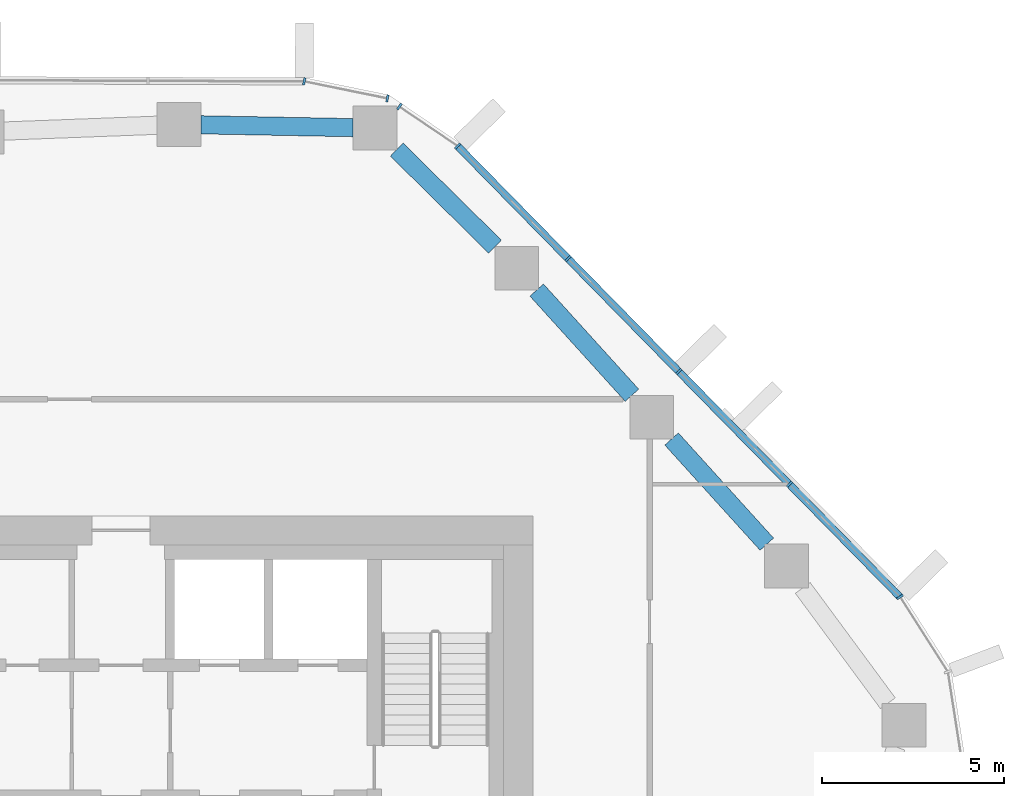
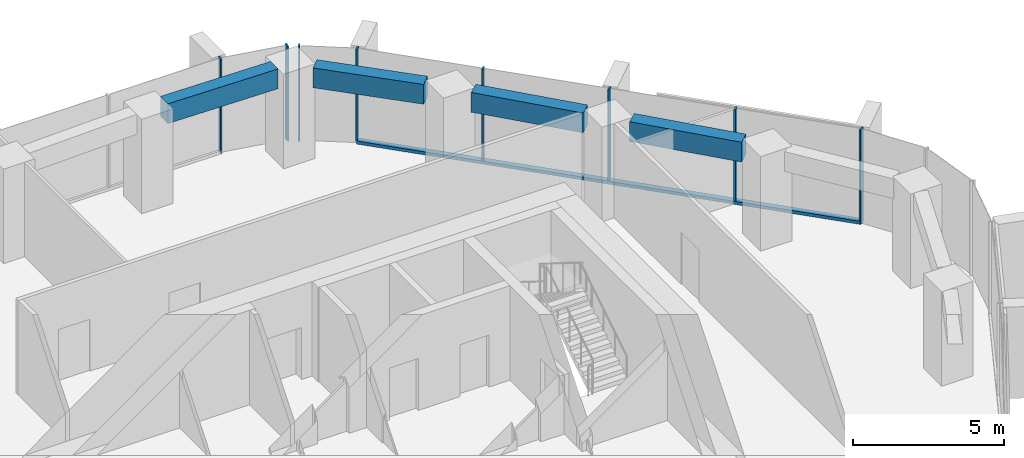
# One storey, part 6 of 18: 9 members, 4 beams, 4 elements without a shape of their own.
"""IFC4 building model written with IfcOpenShell, lengths in metres."""

from ifc_helpers import new_model, si_unit, direction, frame, origin, origin_2d, place, context, subcontext, project, spatial, rectangle, extrude, material, layer, layer_set, material_profile, profile_set, type_object, element, aggregate, save


model = new_model("IFC4")

# Units and contexts
model_context = context("Model", 3, precision=1e-05, world=origin(), true_north=direction((0.0, 1.0)))
body_context = subcontext(model_context, "Body", "Model", "MODEL_VIEW")
ifc_project = project(units=[si_unit("LENGTHUNIT", "METRE"), si_unit("AREAUNIT", "SQUARE_METRE"), si_unit("VOLUMEUNIT", "CUBIC_METRE"), si_unit("PLANEANGLEUNIT", "RADIAN"), si_unit("MASSUNIT", "GRAM", prefix="KILO")], contexts=[model_context])

# Site, building, storey
site_placement = place(None, origin())
site = spatial("IfcSite", under=ifc_project, at=site_placement, CompositionType="ELEMENT")
building_placement = place(site_placement, origin())
building = spatial("IfcBuilding", under=site, at=building_placement, Name="Dongbaek Canopy Tower", CompositionType="ELEMENT")
storey_placement = place(building_placement, frame((0.0, 0.0, 203.0)))
storey = spatial("IfcBuildingStorey", under=building, at=storey_placement, Name="L42", CompositionType="ELEMENT", Elevation=203.0)

# Curtain wall, member
ifc_material_1 = material(Name="Aluminium 6063-T6 pale anodised", Category="aluminium")
ifc_layer = layer(ifc_material_1, 0.199951171875)
ifc_layer_set = layer_set([ifc_layer], Name="CW-1 unitised tower curtain wall")
curtain_wall_type = type_object("IfcCurtainWallType", Name="CW-1 unitised tower curtain wall", PredefinedType="NOTDEFINED", material=ifc_layer_set)
curtain_wall_1_placement = place(storey_placement, origin())
curtain_wall_1 = element("IfcCurtainWall", 1, at=curtain_wall_1_placement, inside=storey, type_object=curtain_wall_type, Name="CW-1 curtain wall K0.1", PredefinedType="NOTDEFINED")
ifc_material_2 = material(Name="Aluminium 6063-T6 pale anodised", Category="aluminium")
ifc_material_profile_1 = material_profile(ifc_material_2, rectangle(XDim=0.199951171875, YDim=0.06005859375, at=origin_2d()), Name="CW-1 mullion 60 x 200")
ifc_profile_set_1 = profile_set([ifc_material_profile_1], Name="Aluminium 6063-T6 pale anodised")
member_type_1 = type_object("IfcMemberType", Name="CW-1 mullion 60 x 200", PredefinedType="MULLION", material=ifc_profile_set_1)
member_1_placement = place(storey_placement, frame((24.070068359375, 8.773681640625, 0.0), z_axis=(0.0, 0.0, 1.0), x_axis=(0.842497912004, 0.538699608566, 0.0)))
member_1 = element("IfcMember", 2, at=member_1_placement, type_object=member_type_1, Name="CW-1 mullion K0.1.4", PredefinedType="MULLION", context=body_context, shape_type="SweptSolid", body=[
    extrude(rectangle(XDim=0.199951171875, YDim=0.06005859375, at=origin_2d()), origin(), (0.0, 0.0, 1.0), 3.820068359375),
])
aggregate(curtain_wall_1, [member_1])

# Curtain wall, members
curtain_wall_2_placement = place(storey_placement, origin())
curtain_wall_2 = element("IfcCurtainWall", 3, at=curtain_wall_2_placement, inside=storey, type_object=curtain_wall_type, Name="CW-1 curtain wall F0.1", PredefinedType="NOTDEFINED")
member_2_placement = place(storey_placement, frame((21.039794921875, 11.862060546875, 0.1201171875), z_axis=(0.0, 0.0, 1.0), x_axis=(0.713782398301, 0.700367537709, 0.0)))
member_2 = element("IfcMember", 4, at=member_2_placement, type_object=member_type_1, Name="CW-1 mullion F0.1.2", PredefinedType="MULLION", context=body_context, shape_type="SweptSolid", body=[
    extrude(rectangle(XDim=0.199951171875, YDim=0.06005859375, at=origin_2d()), origin(), (0.0, 0.0, 1.0), 3.699951171875),
])
member_3_placement = place(storey_placement, frame((18.002197265625, 14.957763671875, 0.1201171875), z_axis=(0.0, 0.0, 1.0), x_axis=(0.713782398301, 0.700367537709, 0.0)))
member_3 = element("IfcMember", 5, at=member_3_placement, type_object=member_type_1, Name="CW-1 mullion F0.1.3", PredefinedType="MULLION", context=body_context, shape_type="SweptSolid", body=[
    extrude(rectangle(XDim=0.199951171875, YDim=0.06005859375, at=origin_2d()), origin(), (0.0, 0.0, 1.0), 3.699951171875),
])
member_4_placement = place(storey_placement, frame((14.96484375, 18.053466796875, 0.1201171875), z_axis=(0.0, 0.0, 1.0), x_axis=(0.713782398301, 0.700367537709, 0.0)))
member_4 = element("IfcMember", 6, at=member_4_placement, type_object=member_type_1, Name="CW-1 mullion F0.1.4", PredefinedType="MULLION", context=body_context, shape_type="SweptSolid", body=[
    extrude(rectangle(XDim=0.199951171875, YDim=0.06005859375, at=origin_2d()), origin(), (0.0, 0.0, 1.0), 3.699951171875),
])
member_5_placement = place(storey_placement, frame((11.93408203125, 21.14208984375, 0.1201171875), z_axis=(0.0, 0.0, 1.0), x_axis=(0.713782398301, 0.700367537709, 0.0)))
member_5 = element("IfcMember", 7, at=member_5_placement, type_object=member_type_1, Name="CW-1 mullion F0.1.5", PredefinedType="MULLION", context=body_context, shape_type="SweptSolid", body=[
    extrude(rectangle(XDim=0.199951171875, YDim=0.06005859375, at=origin_2d()), origin(), (0.0, 0.0, 1.0), 3.699951171875),
])

# Curtain wall, member
curtain_wall_3_placement = place(storey_placement, origin())
curtain_wall_3 = element("IfcCurtainWall", 8, at=curtain_wall_3_placement, inside=storey, type_object=curtain_wall_type, Name="CW-1 curtain wall K1.1a", PredefinedType="NOTDEFINED")
member_6_placement = place(storey_placement, frame((10.339111328125, 22.226318359375, 0.0), z_axis=(0.0, 0.0, 1.0), x_axis=(0.562231657706, 0.826979783957, 0.0)))
member_6 = element("IfcMember", 9, at=member_6_placement, type_object=member_type_1, Name="CW-1 mullion K1.1a.2", PredefinedType="MULLION", context=body_context, shape_type="SweptSolid", body=[
    extrude(rectangle(XDim=0.199951171875, YDim=0.06005859375, at=origin_2d()), origin(), (0.0, 0.0, 1.0), 3.820068359375),
])
aggregate(curtain_wall_3, [member_6])

# Curtain wall, members
curtain_wall_4_placement = place(storey_placement, origin())
curtain_wall_4 = element("IfcCurtainWall", 10, at=curtain_wall_4_placement, inside=storey, type_object=curtain_wall_type, Name="CW-1 curtain wall K1.1b", PredefinedType="NOTDEFINED")
member_7_placement = place(storey_placement, frame((10.0087890625, 22.450927734375, 0.0), z_axis=(0.0, 0.0, 1.0), x_axis=(0.200117259075, 0.979771954396, 0.0)))
member_7 = element("IfcMember", 11, at=member_7_placement, type_object=member_type_1, Name="CW-1 mullion K1.1b.1", PredefinedType="MULLION", context=body_context, shape_type="SweptSolid", body=[
    extrude(rectangle(XDim=0.199951171875, YDim=0.06005859375, at=origin_2d()), origin(), (0.0, 0.0, 1.0), 3.820068359375),
])
member_8_placement = place(storey_placement, frame((7.727783203125, 22.9169921875, 0.0), z_axis=(0.0, 0.0, 1.0), x_axis=(0.200117259075, 0.979771954396, 0.0)))
member_8 = element("IfcMember", 12, at=member_8_placement, type_object=member_type_1, Name="CW-1 mullion K1.1b.2", PredefinedType="MULLION", context=body_context, shape_type="SweptSolid", body=[
    extrude(rectangle(XDim=0.199951171875, YDim=0.06005859375, at=origin_2d()), origin(), (0.0, 0.0, 1.0), 3.820068359375),
])
aggregate(curtain_wall_4, [member_7, member_8])

# Member
ifc_material_3 = material(Name="Aluminium 6063-T6 pale anodised", Category="aluminium")
ifc_material_profile_2 = material_profile(ifc_material_3, rectangle(XDim=0.199951171875, YDim=0.1201171875, at=origin_2d()), Name="CW-1 transom 120 x 200")
ifc_profile_set_2 = profile_set([ifc_material_profile_2], Name="Aluminium 6063-T6 pale anodised")
member_type_2 = type_object("IfcMemberType", Name="CW-1 transom 120 x 200", PredefinedType="USERDEFINED", material=ifc_profile_set_2)
member_9_placement = place(storey_placement, frame((24.070068359375, 8.773681640625, 0.06005859375), z_axis=(-0.700368436874, 0.713781516033, 0.0), x_axis=(-0.713781516033, -0.700368436874, 0.0)))
member_9 = element("IfcMember", 13, at=member_9_placement, type_object=member_type_2, Name="CW-1 transom F0.1.1", ObjectType="TRANSOM", PredefinedType="USERDEFINED", context=body_context, shape_type="SweptSolid", body=[
    extrude(rectangle(XDim=0.199951171875, YDim=0.1201171875, at=origin_2d()), origin(), (0.0, 0.0, 1.0), 17.328125),
])

aggregate(curtain_wall_2, [member_2, member_3, member_4, member_5, member_9])

# Beams
ifc_material_4 = material(Name="Concrete C70", Category="concrete")
ifc_material_profile_3 = material_profile(ifc_material_4, rectangle(XDim=0.5, YDim=0.800048828125, at=origin_2d()), Name="RC EDGE BEAM 500x800 C70")
ifc_profile_set_3 = profile_set([ifc_material_profile_3], Name="Concrete C70")
beam_type = type_object("IfcBeamType", Name="RC EDGE BEAM 500x800 C70", PredefinedType="BEAM", material=ifc_profile_set_3)
beam_1_placement = place(storey_placement, frame((4.89501953125, 21.724609375, 3.419921875), z_axis=(0.999823523871, -0.018786194753, 0.0), x_axis=(0.018786194753, 0.999823523871, 0.0)))
element("IfcBeam", 14, at=beam_1_placement, inside=storey, type_object=beam_type, Name="EDGEBEAM:L42:16", PredefinedType="BEAM", context=body_context, shape_type="SweptSolid", body=[
    extrude(rectangle(XDim=0.5, YDim=0.800048828125, at=origin_2d()), origin(), (0.0, 0.0, 1.0), 4.171630859375),
])
beam_2_placement = place(storey_placement, frame((10.26611328125, 21.04296875, 3.419921875), z_axis=(0.711703560094, -0.702479923236, 0.0), x_axis=(0.702479923236, 0.711703560094, 0.0)))
element("IfcBeam", 15, at=beam_2_placement, inside=storey, type_object=beam_type, Name="EDGEBEAM:L42:17", PredefinedType="BEAM", context=body_context, shape_type="SweptSolid", body=[
    extrude(rectangle(XDim=0.5, YDim=0.800048828125, at=origin_2d()), origin(), (0.0, 0.0, 1.0), 3.78515625),
])
beam_3_placement = place(storey_placement, frame((14.103515625, 17.19189453125, 3.419921875), z_axis=(0.67132037677, -0.741167289978, 0.0), x_axis=(0.741167289978, 0.67132037677, 0.0)))
element("IfcBeam", 16, at=beam_3_placement, inside=storey, type_object=beam_type, Name="EDGEBEAM:L42:18", PredefinedType="BEAM", context=body_context, shape_type="SweptSolid", body=[
    extrude(rectangle(XDim=0.5, YDim=0.800048828125, at=origin_2d()), origin(), (0.0, 0.0, 1.0), 3.893798828125),
])
beam_4_placement = place(storey_placement, frame((17.80419921875, 13.10595703125, 3.419921875), z_axis=(0.671238468475, -0.741241471074, 0.0), x_axis=(0.741241471074, 0.671238468475, 0.0)))
element("IfcBeam", 17, at=beam_4_placement, inside=storey, type_object=beam_type, Name="EDGEBEAM:L42:19", PredefinedType="BEAM", context=body_context, shape_type="SweptSolid", body=[
    extrude(rectangle(XDim=0.5, YDim=0.800048828125, at=origin_2d()), origin(), (0.0, 0.0, 1.0), 3.89208984375),
])

save(model, "model.ifc")
